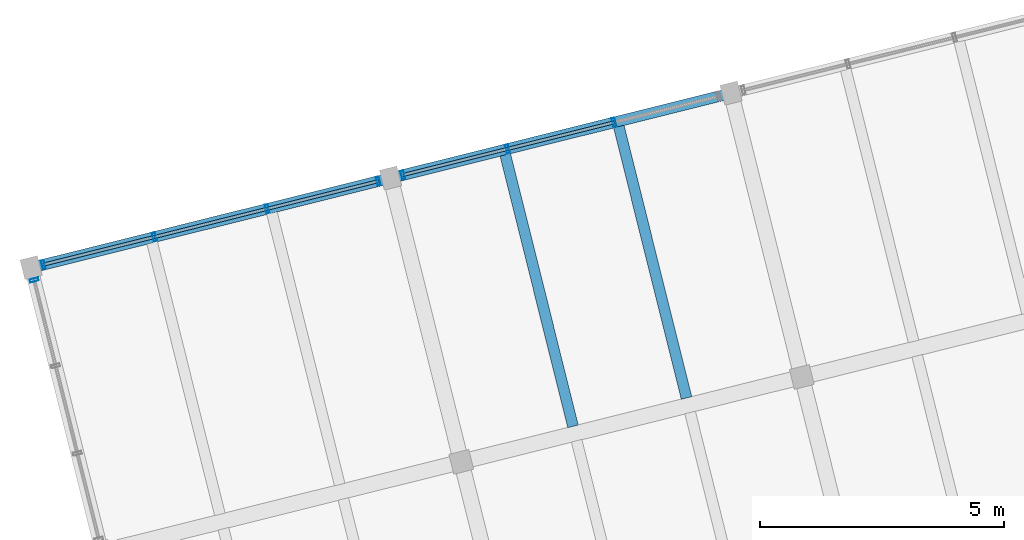
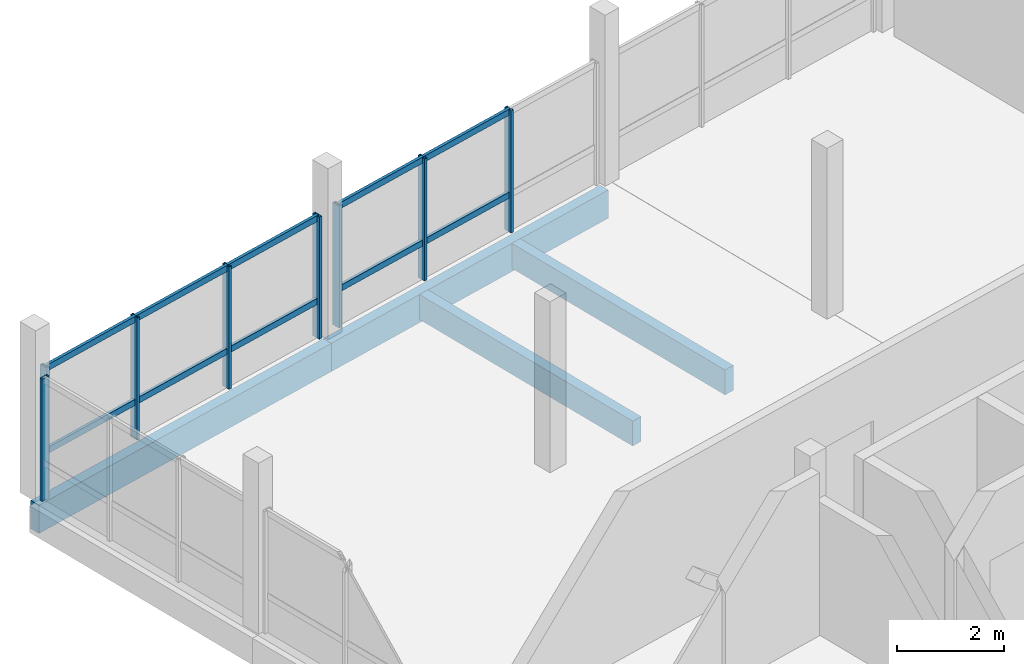
# One storey, part 17 of 28: 18 members, 4 beams, 3 elements without a shape of their own.
"""IFC4 building model written with IfcOpenShell, lengths in metres."""

from ifc_helpers import new_model, si_unit, direction, frame, origin, origin_2d, place, context, subcontext, project, spatial, rectangle, hollow_rectangle, extrude, material, layer, layer_set, material_profile, profile_set, type_object, element, aggregate, save


model = new_model("IFC4")

# Units and contexts
model_context = context("Model", 3, precision=1e-05, world=origin(), true_north=direction((0.0, 1.0)))
body_context = subcontext(model_context, "Body", "Model", "MODEL_VIEW")
ifc_project = project(units=[si_unit("LENGTHUNIT", "METRE"), si_unit("AREAUNIT", "SQUARE_METRE"), si_unit("VOLUMEUNIT", "CUBIC_METRE"), si_unit("PLANEANGLEUNIT", "RADIAN"), si_unit("MASSUNIT", "GRAM", prefix="KILO")], contexts=[model_context])

# Site, building, storey
site_placement = place(None, origin())
site = spatial("IfcSite", under=ifc_project, at=site_placement, CompositionType="ELEMENT")
building_placement = place(site_placement, origin())
building = spatial("IfcBuilding", under=site, at=building_placement, Name="Meriwether Solvik Hall", CompositionType="ELEMENT")
storey_placement = place(building_placement, frame((0.0, 0.0, 30.0)))
storey = spatial("IfcBuildingStorey", under=building, at=storey_placement, Name="L07", CompositionType="ELEMENT", Elevation=30.0)

# Beams
ifc_material_1 = material(Name="Glulam Douglas-Fir 24F-V8 GL28h", Category="wood")
ifc_material_profile_1 = material_profile(ifc_material_1, rectangle(XDim=0.221923828125, YDim=0.64501953125, at=origin_2d()), Name="GLB-222X645")
ifc_profile_set_1 = profile_set([ifc_material_profile_1], Name="Glulam Douglas-Fir 24F-V8 GL28h")
beam_type_1 = type_object("IfcBeamType", Name="BM-GL-222X645", PredefinedType="SPANDREL", material=ifc_profile_set_1)
beam_1_placement = place(storey_placement, frame((60.374755859375, 74.18994140625, -0.54248046875), z_axis=(0.970295366785, 0.241923337436, 0.0), x_axis=(-0.241923337436, 0.970295366785, 0.0)))
element("IfcBeam", 1, at=beam_1_placement, inside=storey, type_object=beam_type_1, Name="Tower Girder TF:T1-T2 (L07)", PredefinedType="SPANDREL", context=body_context, shape_type="SweptSolid", body=[
    extrude(rectangle(XDim=0.221923828125, YDim=0.64501953125, at=origin_2d()), origin(), (0.0, 0.0, 1.0), 7.60009765625),
])
beam_2_placement = place(storey_placement, frame((67.7490234375, 76.028564453125, -0.54248046875), z_axis=(0.970291911955, 0.241937193493, 0.0), x_axis=(-0.241937193493, 0.970291911955, 0.0)))
element("IfcBeam", 2, at=beam_2_placement, inside=storey, type_object=beam_type_1, Name="Tower Girder TF:T2-T3 (L07)", PredefinedType="SPANDREL", context=body_context, shape_type="SweptSolid", body=[
    extrude(rectangle(XDim=0.221923828125, YDim=0.64501953125, at=origin_2d()), origin(), (0.0, 0.0, 1.0), 7.199951171875),
])

# Curtain wall, members
ifc_material_2 = material(Name="Thermally Broken Anodised Aluminium 6063-T6 and Low-E Glass", Category="aluminium")
ifc_layer_1 = layer(ifc_material_2, 0.179931640625)
ifc_layer_set_1 = layer_set([ifc_layer_1], Name="Thermally Broken Anodised Aluminium 6063-T6 and Low-E Glass")
curtain_wall_type_1 = type_object("IfcCurtainWallType", Name="CW-UNIT-B", PredefinedType="USERDEFINED", material=ifc_layer_set_1)
curtain_wall_1_placement = place(storey_placement, origin())
curtain_wall_1 = element("IfcCurtainWall", 3, at=curtain_wall_1_placement, inside=storey, type_object=curtain_wall_type_1, Name="Curtain Wall E4_B0 (L07)", ObjectType="UNITISED CURTAIN WALL", PredefinedType="USERDEFINED")
ifc_material_3 = material(Name="Anodised Aluminium 6063-T6", Category="aluminium")
ifc_material_profile_2 = material_profile(ifc_material_3, hollow_rectangle(XDim=0.06494140625, YDim=0.179931640625, WallThickness=0.00439453125, at=origin_2d()), Name="CWM-65X180")
ifc_profile_set_2 = profile_set([ifc_material_profile_2], Name="Anodised Aluminium 6063-T6")
member_type_1 = type_object("IfcMemberType", Name="CW-MUL-65X180", PredefinedType="MULLION", material=ifc_profile_set_2)
member_1_placement = place(storey_placement, frame((60.626953125, 74.2529296875, 0.0), z_axis=(0.0, 0.0, 1.0), x_axis=(0.970295727285, 0.241921891552, 0.0)))
member_1 = element("IfcMember", 4, at=member_1_placement, type_object=member_type_1, Name="Curtain Wall Mullion 1", PredefinedType="MULLION", context=body_context, shape_type="SweptSolid", body=[
    extrude(hollow_rectangle(XDim=0.06494140625, YDim=0.179931640625, WallThickness=0.00439453125, at=origin_2d()), origin(), (0.0, 0.0, 1.0), 2.7900390625),
])
member_2_placement = place(storey_placement, frame((62.904541015625, 74.82080078125, 0.0), z_axis=(0.0, 0.0, 1.0), x_axis=(0.970295727285, 0.241921891552, 0.0)))
member_2 = element("IfcMember", 5, at=member_2_placement, type_object=member_type_1, Name="Curtain Wall Mullion 2", PredefinedType="MULLION", context=body_context, shape_type="SweptSolid", body=[
    extrude(hollow_rectangle(XDim=0.06494140625, YDim=0.179931640625, WallThickness=0.00439453125, at=origin_2d()), origin(), (0.0, 0.0, 1.0), 2.7900390625),
])
member_3_placement = place(storey_placement, frame((65.218994140625, 75.39794921875, 0.0), z_axis=(0.0, 0.0, 1.0), x_axis=(0.970295727285, 0.241921891552, 0.0)))
member_3 = element("IfcMember", 6, at=member_3_placement, type_object=member_type_1, Name="Curtain Wall Mullion 3", PredefinedType="MULLION", context=body_context, shape_type="SweptSolid", body=[
    extrude(hollow_rectangle(XDim=0.06494140625, YDim=0.179931640625, WallThickness=0.00439453125, at=origin_2d()), origin(), (0.0, 0.0, 1.0), 2.7900390625),
])
member_4_placement = place(storey_placement, frame((67.49658203125, 75.9658203125, 0.0), z_axis=(0.0, 0.0, 1.0), x_axis=(0.970295727285, 0.241921891552, 0.0)))
member_4 = element("IfcMember", 7, at=member_4_placement, type_object=member_type_1, Name="Curtain Wall Mullion 4", PredefinedType="MULLION", context=body_context, shape_type="SweptSolid", body=[
    extrude(hollow_rectangle(XDim=0.06494140625, YDim=0.179931640625, WallThickness=0.00439453125, at=origin_2d()), origin(), (0.0, 0.0, 1.0), 2.7900390625),
])

ifc_material_4 = material(Name="Thermally Broken Anodised Aluminium 6063-T6 and Low-E Glass", Category="aluminium")
ifc_layer_2 = layer(ifc_material_4, 0.179931640625)
ifc_layer_set_2 = layer_set([ifc_layer_2], Name="Thermally Broken Anodised Aluminium 6063-T6 and Low-E Glass")
curtain_wall_type_2 = type_object("IfcCurtainWallType", Name="CW-UNIT-C", PredefinedType="USERDEFINED", material=ifc_layer_set_2)
curtain_wall_2_placement = place(storey_placement, origin())
curtain_wall_2 = element("IfcCurtainWall", 8, at=curtain_wall_2_placement, inside=storey, type_object=curtain_wall_type_2, Name="Curtain Wall E4_B1 (L07)", ObjectType="UNITISED CURTAIN WALL", PredefinedType="USERDEFINED")
member_5_placement = place(storey_placement, frame((68.001220703125, 76.091552734375, 0.0), z_axis=(0.0, 0.0, 1.0), x_axis=(0.970295738259, 0.241921847539, 0.0)))
member_5 = element("IfcMember", 9, at=member_5_placement, type_object=member_type_1, Name="Curtain Wall Mullion 1", PredefinedType="MULLION", context=body_context, shape_type="SweptSolid", body=[
    extrude(hollow_rectangle(XDim=0.06494140625, YDim=0.179931640625, WallThickness=0.00439453125, at=origin_2d()), origin(), (0.0, 0.0, 1.0), 2.7900390625),
])
member_6_placement = place(storey_placement, frame((70.1494140625, 76.627197265625, 0.0), z_axis=(0.0, 0.0, 1.0), x_axis=(0.970295738259, 0.241921847539, 0.0)))
member_6 = element("IfcMember", 10, at=member_6_placement, type_object=member_type_1, Name="Curtain Wall Mullion 2", PredefinedType="MULLION", context=body_context, shape_type="SweptSolid", body=[
    extrude(hollow_rectangle(XDim=0.06494140625, YDim=0.179931640625, WallThickness=0.00439453125, at=origin_2d()), origin(), (0.0, 0.0, 1.0), 2.7900390625),
])
member_7_placement = place(storey_placement, frame((72.33447265625, 77.171875, 0.0), z_axis=(0.0, 0.0, 1.0), x_axis=(0.970295738259, 0.241921847539, 0.0)))
member_7 = element("IfcMember", 11, at=member_7_placement, type_object=member_type_1, Name="Curtain Wall Mullion 3", PredefinedType="MULLION", context=body_context, shape_type="SweptSolid", body=[
    extrude(hollow_rectangle(XDim=0.06494140625, YDim=0.179931640625, WallThickness=0.00439453125, at=origin_2d()), origin(), (0.0, 0.0, 1.0), 2.7900390625),
])

# Curtain wall, member
ifc_material_5 = material(Name="Thermally Broken Anodised Aluminium 6063-T6 and Low-E Glass", Category="aluminium")
ifc_layer_3 = layer(ifc_material_5, 0.179931640625)
ifc_layer_set_3 = layer_set([ifc_layer_3], Name="Thermally Broken Anodised Aluminium 6063-T6 and Low-E Glass")
curtain_wall_type_3 = type_object("IfcCurtainWallType", Name="CW-UNIT-G", PredefinedType="USERDEFINED", material=ifc_layer_set_3)
curtain_wall_3_placement = place(storey_placement, origin())
curtain_wall_3 = element("IfcCurtainWall", 12, at=curtain_wall_3_placement, inside=storey, type_object=curtain_wall_type_3, Name="Curtain Wall E5_B4 (L07)", ObjectType="UNITISED CURTAIN WALL", PredefinedType="USERDEFINED")
member_8_placement = place(storey_placement, frame((60.4375, 73.937744140625, 0.0), z_axis=(0.0, 0.0, 1.0), x_axis=(-0.241921889131, 0.970295727889, 0.0)))
member_8 = element("IfcMember", 13, at=member_8_placement, type_object=member_type_1, Name="Curtain Wall Mullion 4", PredefinedType="MULLION", context=body_context, shape_type="SweptSolid", body=[
    extrude(hollow_rectangle(XDim=0.06494140625, YDim=0.179931640625, WallThickness=0.00439453125, at=origin_2d()), origin(), (0.0, 0.0, 1.0), 2.7900390625),
])
aggregate(curtain_wall_3, [member_8])

# Member
ifc_material_6 = material(Name="Anodised Aluminium 6063-T6", Category="aluminium")
ifc_material_profile_3 = material_profile(ifc_material_6, hollow_rectangle(XDim=0.06494140625, YDim=0.139892578125, WallThickness=0.00439453125, at=origin_2d()), Name="CWT-65X140")
ifc_profile_set_3 = profile_set([ifc_material_profile_3], Name="Anodised Aluminium 6063-T6")
member_type_2 = type_object("IfcMemberType", Name="CW-TRN-65X140", PredefinedType="USERDEFINED", material=ifc_profile_set_3)
member_9_placement = place(storey_placement, frame((60.626953125, 74.2529296875, 0.8369140625), z_axis=(0.970295260897, 0.241923762123, 0.0), x_axis=(-0.241923762123, 0.970295260897, 0.0)))
member_9 = element("IfcMember", 14, at=member_9_placement, type_object=member_type_2, Name="Curtain Wall Transom 1-sill", ObjectType="TRANSOM", PredefinedType="USERDEFINED", context=body_context, shape_type="SweptSolid", body=[
    extrude(hollow_rectangle(XDim=0.06494140625, YDim=0.139892578125, WallThickness=0.00439453125, at=origin_2d()), origin(), (0.0, 0.0, 1.0), 2.347412109375),
])

member_10_placement = place(storey_placement, frame((60.626953125, 74.2529296875, 2.72998046875), z_axis=(0.970295260897, 0.241923762123, 0.0), x_axis=(-0.241923762123, 0.970295260897, 0.0)))
member_10 = element("IfcMember", 15, at=member_10_placement, type_object=member_type_2, Name="Curtain Wall Transom 1-head", ObjectType="TRANSOM", PredefinedType="USERDEFINED", context=body_context, shape_type="SweptSolid", body=[
    extrude(hollow_rectangle(XDim=0.06494140625, YDim=0.139892578125, WallThickness=0.00439453125, at=origin_2d()), origin(), (0.0, 0.0, 1.0), 2.347412109375),
])

member_11_placement = place(storey_placement, frame((62.904541015625, 74.82080078125, 0.8369140625), z_axis=(0.970286823405, 0.241957600267, 0.0), x_axis=(-0.241957600267, 0.970286823405, 0.0)))
member_11 = element("IfcMember", 16, at=member_11_placement, type_object=member_type_2, Name="Curtain Wall Transom 2-sill", ObjectType="TRANSOM", PredefinedType="USERDEFINED", context=body_context, shape_type="SweptSolid", body=[
    extrude(hollow_rectangle(XDim=0.06494140625, YDim=0.139892578125, WallThickness=0.00439453125, at=origin_2d()), origin(), (0.0, 0.0, 1.0), 2.38525390625),
])

member_12_placement = place(storey_placement, frame((62.904541015625, 74.82080078125, 2.72998046875), z_axis=(0.970286823405, 0.241957600267, 0.0), x_axis=(-0.241957600267, 0.970286823405, 0.0)))
member_12 = element("IfcMember", 17, at=member_12_placement, type_object=member_type_2, Name="Curtain Wall Transom 2-head", ObjectType="TRANSOM", PredefinedType="USERDEFINED", context=body_context, shape_type="SweptSolid", body=[
    extrude(hollow_rectangle(XDim=0.06494140625, YDim=0.139892578125, WallThickness=0.00439453125, at=origin_2d()), origin(), (0.0, 0.0, 1.0), 2.38525390625),
])

member_13_placement = place(storey_placement, frame((65.218994140625, 75.39794921875, 0.8369140625), z_axis=(0.970295260897, 0.241923762123, 0.0), x_axis=(-0.241923762123, 0.970295260897, 0.0)))
member_13 = element("IfcMember", 18, at=member_13_placement, type_object=member_type_2, Name="Curtain Wall Transom 3-sill", ObjectType="TRANSOM", PredefinedType="USERDEFINED", context=body_context, shape_type="SweptSolid", body=[
    extrude(hollow_rectangle(XDim=0.06494140625, YDim=0.139892578125, WallThickness=0.00439453125, at=origin_2d()), origin(), (0.0, 0.0, 1.0), 2.347412109375),
])

member_14_placement = place(storey_placement, frame((65.218994140625, 75.39794921875, 2.72998046875), z_axis=(0.970295260897, 0.241923762123, 0.0), x_axis=(-0.241923762123, 0.970295260897, 0.0)))
member_14 = element("IfcMember", 19, at=member_14_placement, type_object=member_type_2, Name="Curtain Wall Transom 3-head", ObjectType="TRANSOM", PredefinedType="USERDEFINED", context=body_context, shape_type="SweptSolid", body=[
    extrude(hollow_rectangle(XDim=0.06494140625, YDim=0.139892578125, WallThickness=0.00439453125, at=origin_2d()), origin(), (0.0, 0.0, 1.0), 2.347412109375),
])

aggregate(curtain_wall_1, [member_1, member_2, member_3, member_4, member_9, member_10, member_11, member_12, member_13, member_14])

member_15_placement = place(storey_placement, frame((68.001220703125, 76.091552734375, 0.8369140625), z_axis=(0.970291509385, 0.241938808, 0.0), x_axis=(-0.241938808, 0.970291509385, 0.0)))
member_15 = element("IfcMember", 20, at=member_15_placement, type_object=member_type_2, Name="Curtain Wall Transom 1-sill", ObjectType="TRANSOM", PredefinedType="USERDEFINED", context=body_context, shape_type="SweptSolid", body=[
    extrude(hollow_rectangle(XDim=0.06494140625, YDim=0.139892578125, WallThickness=0.00439453125, at=origin_2d()), origin(), (0.0, 0.0, 1.0), 2.2138671875),
])

member_16_placement = place(storey_placement, frame((68.001220703125, 76.091552734375, 2.72998046875), z_axis=(0.970291509385, 0.241938808, 0.0), x_axis=(-0.241938808, 0.970291509385, 0.0)))
member_16 = element("IfcMember", 21, at=member_16_placement, type_object=member_type_2, Name="Curtain Wall Transom 1-head", ObjectType="TRANSOM", PredefinedType="USERDEFINED", context=body_context, shape_type="SweptSolid", body=[
    extrude(hollow_rectangle(XDim=0.06494140625, YDim=0.139892578125, WallThickness=0.00439453125, at=origin_2d()), origin(), (0.0, 0.0, 1.0), 2.2138671875),
])

member_17_placement = place(storey_placement, frame((70.1494140625, 76.627197265625, 0.8369140625), z_axis=(0.970308083555, 0.241872327867, 0.0), x_axis=(-0.241872327867, 0.970308083555, 0.0)))
member_17 = element("IfcMember", 22, at=member_17_placement, type_object=member_type_2, Name="Curtain Wall Transom 2-sill", ObjectType="TRANSOM", PredefinedType="USERDEFINED", context=body_context, shape_type="SweptSolid", body=[
    extrude(hollow_rectangle(XDim=0.06494140625, YDim=0.139892578125, WallThickness=0.00439453125, at=origin_2d()), origin(), (0.0, 0.0, 1.0), 2.251953125),
])

member_18_placement = place(storey_placement, frame((70.1494140625, 76.627197265625, 2.72998046875), z_axis=(0.970308083555, 0.241872327867, 0.0), x_axis=(-0.241872327867, 0.970308083555, 0.0)))
member_18 = element("IfcMember", 23, at=member_18_placement, type_object=member_type_2, Name="Curtain Wall Transom 2-head", ObjectType="TRANSOM", PredefinedType="USERDEFINED", context=body_context, shape_type="SweptSolid", body=[
    extrude(hollow_rectangle(XDim=0.06494140625, YDim=0.139892578125, WallThickness=0.00439453125, at=origin_2d()), origin(), (0.0, 0.0, 1.0), 2.251953125),
])

aggregate(curtain_wall_2, [member_5, member_6, member_7, member_15, member_16, member_17, member_18])

# Beams
ifc_material_7 = material(Name="Glulam Douglas-Fir 24F-V8 GL28h", Category="wood")
ifc_material_profile_4 = material_profile(ifc_material_7, rectangle(XDim=0.221923828125, YDim=0.570068359375, at=origin_2d()), Name="GLJ-222X570")
ifc_profile_set_4 = profile_set([ifc_material_profile_4], Name="Glulam Douglas-Fir 24F-V8 GL28h")
beam_type_2 = type_object("IfcBeamType", Name="JST-GL-222X570", PredefinedType="JOIST", material=ifc_profile_set_4)
for number, where, z_axis, x_axis, name in (
    (24, (71.4921875, 70.935546875, -0.5048828125), (-0.241915235082, 0.970297386905, 0.0), (-0.970297386905, -0.241915235082, 0.0), "Glulam Floor Joist T2/TE-J1 (L07)"),
    (25, (73.821044921875, 71.51611328125, -0.5048828125), (-0.241955269204, 0.970287404692, 0.0), (-0.970287404692, -0.241955269204, 0.0), "Glulam Floor Joist T2/TE-J2 (L07)"),
):
    element("IfcBeam", number, at=place(storey_placement, frame(where, z_axis=z_axis, x_axis=x_axis)), inside=storey, type_object=beam_type_2, Name=name, PredefinedType="JOIST", context=body_context, shape_type="SweptSolid", body=[
        extrude(rectangle(XDim=0.221923828125, YDim=0.570068359375, at=origin_2d()), origin(), (0.0, 0.0, 1.0), 5.741455078125),
    ])

save(model, "model.ifc")
